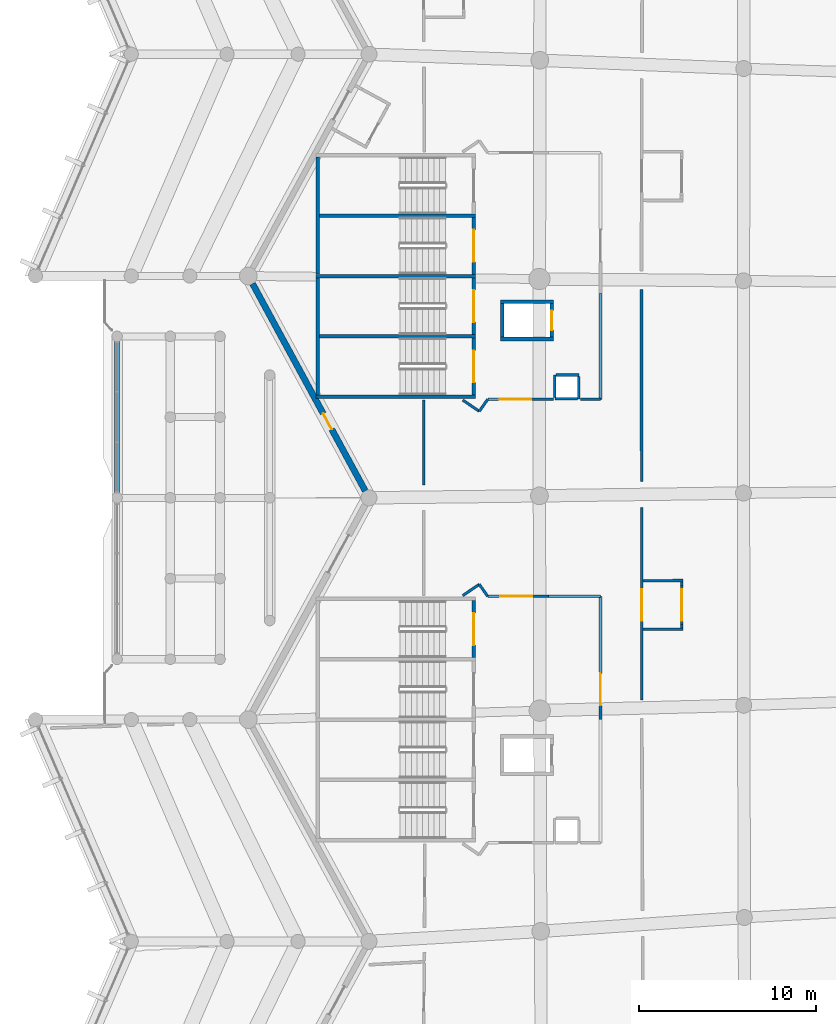
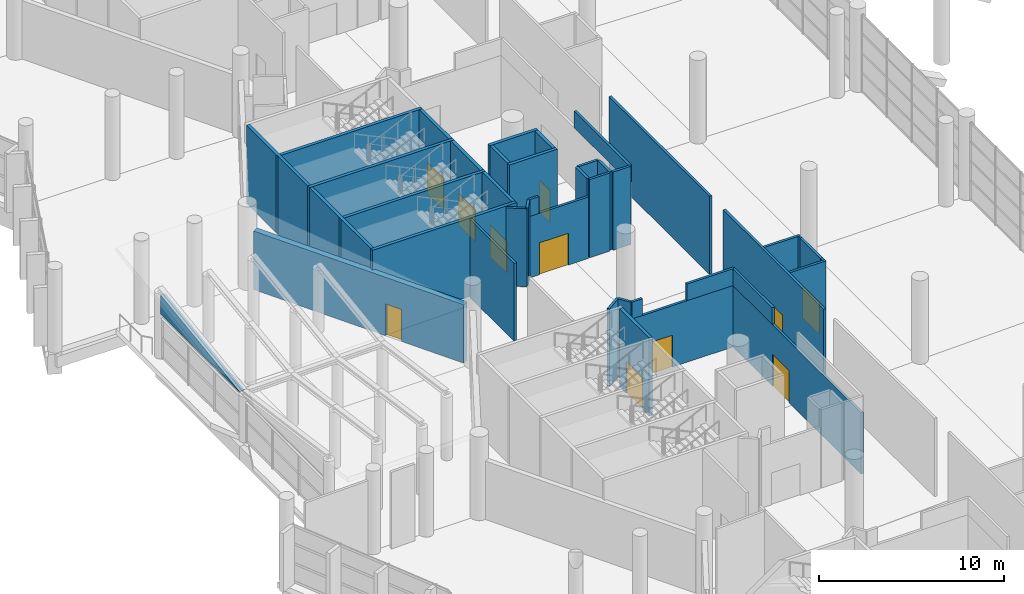
# One storey, part 168 of 271: 41 walls, 11 doors, 11 openings.
"""IFC4 building model written with IfcOpenShell, lengths in metres."""

from ifc_helpers import new_model, si_unit, direction, frame, frame_2d, origin, place, context, subcontext, project, spatial, polyline, rectangle, outline, extrude, material, layer, layer_set, type_object, element, fill, save


model = new_model("IFC4")

# Units and contexts
model_context = context("Model", 3, precision=1e-05, world=origin(), true_north=direction((0.0, 1.0)))
body_context = subcontext(model_context, "Body", "Model", "MODEL_VIEW")
ifc_project = project(units=[si_unit("LENGTHUNIT", "METRE"), si_unit("AREAUNIT", "SQUARE_METRE"), si_unit("VOLUMEUNIT", "CUBIC_METRE"), si_unit("PLANEANGLEUNIT", "RADIAN"), si_unit("MASSUNIT", "GRAM", prefix="KILO")], contexts=[model_context])

# Site, building, storey
site_placement = place(None, origin())
site = spatial("IfcSite", under=ifc_project, at=site_placement, CompositionType="ELEMENT")
building_placement = place(site_placement, origin())
building = spatial("IfcBuilding", under=site, at=building_placement, Name="Meseta Stadium", CompositionType="ELEMENT")
storey_placement = place(building_placement, frame((0.0, 0.0, 6.5)))
storey = spatial("IfcBuildingStorey", under=building, at=storey_placement, Name="L01", CompositionType="ELEMENT", Elevation=6.5)

# Walls
ifc_material_1 = material(Name="Concrete C40/50", Category="concrete")
ifc_layer_1 = layer(ifc_material_1, 0.199951171875)
ifc_layer_set_1 = layer_set([ifc_layer_1], Name="Core divider wall 200")
wall_type_1 = type_object("IfcWallType", Name="Core divider wall 200", PredefinedType="SHEAR", material=ifc_layer_set_1)
for number, where, z_axis, x_axis, name in (
    (1, (-97.60009765625, 9.64990234375, 0.0), (0.0, 0.0, 1.0), (1.0, 0.0, 0.0), "Core 17 L01 stair A divider wall"),
    (2, (-97.60009765625, 2.85009765625, 0.0), (0.0, 0.0, 1.0), (1.0, 0.0, 0.0), "Core 17 L01 stair B divider wall"),
):
    element("IfcWall", number, at=place(storey_placement, frame(where, z_axis=z_axis, x_axis=x_axis)), inside=storey, type_object=wall_type_1, Name=name, PredefinedType="SHEAR", context=body_context, shape_type="SweptSolid", body=[
        extrude(rectangle(XDim=9.0, YDim=0.199951171875, at=frame_2d((4.5, 0.0))), origin(), (0.0, 0.0, 1.0), 5.14990234375),
    ])
ifc_material_2 = material(Name="Concrete C40/50", Category="concrete")
ifc_layer_2 = layer(ifc_material_2, 0.199951171875)
ifc_layer_set_2 = layer_set([ifc_layer_2], Name="Core shaft wall 200")
wall_type_2 = type_object("IfcWallType", Name="Core shaft wall 200", PredefinedType="SHEAR", material=ifc_layer_set_2)
for number, where, z_axis, x_axis, name in (
    (3, (-97.60009765625, 6.25, 0.0), (0.0, 0.0, 1.0), (1.0, 0.0, 0.0), "Core 17 L01 stair wall shared"),
    (4, (-97.60009765625, -0.550048828125, 0.0), (0.0, 0.0, 1.0), (1.0, 0.0, 0.0), "Core 17 L01 stair wall B-side"),
):
    element("IfcWall", number, at=place(storey_placement, frame(where, z_axis=z_axis, x_axis=x_axis)), inside=storey, type_object=wall_type_2, Name=name, PredefinedType="SHEAR", context=body_context, shape_type="SweptSolid", body=[
        extrude(rectangle(XDim=9.0, YDim=0.199951171875, at=frame_2d((4.5, 0.0))), origin(), (0.0, 0.0, 1.0), 5.14990234375),
    ])
for number, where, z_axis, x_axis, name in (
    (5, (-97.5, 12.949951171875, 0.0), (0.0, 0.0, 1.0), (0.0, -1.0, 0.0), "Core 17 L01 stair A outer end wall"),
    (6, (-97.5, 6.14990234375, 0.0), (0.0, 0.0, 1.0), (0.0, -1.0, 0.0), "Core 17 L01 stair B outer end wall"),
):
    element("IfcWall", number, at=place(storey_placement, frame(where, z_axis=z_axis, x_axis=x_axis)), inside=storey, type_object=wall_type_2, Name=name, PredefinedType="SHEAR", context=body_context, shape_type="SweptSolid", body=[
        extrude(rectangle(XDim=6.599853515625, YDim=0.199951171875, at=frame_2d((3.2998046875, 0.0))), origin(), (0.0, 0.0, 1.0), 5.14990234375),
    ])

# Wall, opening, door
wall_1_placement = place(storey_placement, frame((-88.699951171875, 9.550048828125, 0.0), z_axis=(0.0, 0.0, 1.0), x_axis=(0.0, -1.0, 0.0)))
wall_1 = element("IfcWall", 7, at=wall_1_placement, inside=storey, type_object=wall_type_2, Name="Core 17 L01 stair A2 inner end wall", PredefinedType="SHEAR", context=body_context, shape_type="SweptSolid", body=[
    extrude(rectangle(XDim=3.199951171875, YDim=0.199951171875, at=frame_2d((1.60009765625, 0.0))), origin(), (0.0, 0.0, 1.0), 5.14990234375),
])
opening_1_placement = place(wall_1_placement, frame((0.699951171875, 0.0, 0.0)))
opening_1 = element("IfcOpeningElement", 8, at=opening_1_placement, cuts=wall_1, Name="Opening D234", PredefinedType="OPENING", context=body_context, shape_type="SweptSolid", body=[
    extrude(rectangle(XDim=1.800048828125, YDim=2.10009765625, at=frame_2d((0.89990234375, 1.050048828125))), frame((0.0, 0.10986328125, 0.0), z_axis=(0.0, -1.0, 0.0), x_axis=(1.0, 0.0, 0.0)), (0.0, 0.0, 1.0), 0.219970703125),
])
ifc_material_3 = material(Name="Steel", Category="steel")
door_type_1 = type_object("IfcDoorType", Name="Stair door 1800x2100", OperationType="DOUBLE_DOOR_SINGLE_SWING", PredefinedType="DOOR", material=ifc_material_3)
door_1_placement = place(opening_1_placement, origin())
door_1 = element("IfcDoor", 9, at=door_1_placement, inside=storey, type_object=door_type_1, Name="Stair A2 door 17 L01", OperationType="DOUBLE_DOOR_SINGLE_SWING", OverallHeight=2.10009765625, OverallWidth=1.800048828125, PredefinedType="DOOR", context=body_context, shape_type="SweptSolid", body=[
    extrude(rectangle(XDim=1.800048828125, YDim=2.10009765625, at=frame_2d((0.89990234375, 1.050048828125))), frame((0.0, 0.02490234375, 0.0), z_axis=(0.0, -1.0, 0.0), x_axis=(1.0, 0.0, 0.0)), (0.0, 0.0, 1.0), 0.050048828125),
])
fill(opening_1, door_1)

wall_2_placement = place(storey_placement, frame((-88.699951171875, 6.14990234375, 0.0), z_axis=(0.0, 0.0, 1.0), x_axis=(0.0, -1.0, 0.0)))
wall_2 = element("IfcWall", 10, at=wall_2_placement, inside=storey, type_object=wall_type_2, Name="Core 17 L01 stair B1 inner end wall", PredefinedType="SHEAR", context=body_context, shape_type="SweptSolid", body=[
    extrude(rectangle(XDim=3.199951171875, YDim=0.199951171875, at=frame_2d((1.60009765625, 0.0))), origin(), (0.0, 0.0, 1.0), 5.14990234375),
])
opening_2_placement = place(wall_2_placement, frame((0.699951171875, 0.0, 0.0)))
opening_2 = element("IfcOpeningElement", 11, at=opening_2_placement, cuts=wall_2, Name="Opening D235", PredefinedType="OPENING", context=body_context, shape_type="SweptSolid", body=[
    extrude(rectangle(XDim=1.800048828125, YDim=2.10009765625, at=frame_2d((0.89990234375, 1.050048828125))), frame((0.0, 0.10986328125, 0.0), z_axis=(0.0, -1.0, 0.0), x_axis=(1.0, 0.0, 0.0)), (0.0, 0.0, 1.0), 0.219970703125),
])
door_2_placement = place(opening_2_placement, origin())
door_2 = element("IfcDoor", 12, at=door_2_placement, inside=storey, type_object=door_type_1, Name="Stair B1 door 17 L01", OperationType="DOUBLE_DOOR_SINGLE_SWING", OverallHeight=2.10009765625, OverallWidth=1.800048828125, PredefinedType="DOOR", context=body_context, shape_type="SweptSolid", body=[
    extrude(rectangle(XDim=1.800048828125, YDim=2.10009765625, at=frame_2d((0.89990234375, 1.050048828125))), frame((0.0, 0.02490234375, 0.0), z_axis=(0.0, -1.0, 0.0), x_axis=(1.0, 0.0, 0.0)), (0.0, 0.0, 1.0), 0.050048828125),
])
fill(opening_2, door_2)

wall_3_placement = place(storey_placement, frame((-88.699951171875, 2.75, 0.0), z_axis=(0.0, 0.0, 1.0), x_axis=(0.0, -1.0, 0.0)))
wall_3 = element("IfcWall", 13, at=wall_3_placement, inside=storey, type_object=wall_type_2, Name="Core 17 L01 stair B2 inner end wall", PredefinedType="SHEAR", context=body_context, shape_type="SweptSolid", body=[
    extrude(rectangle(XDim=3.199951171875, YDim=0.199951171875, at=frame_2d((1.60009765625, 0.0))), origin(), (0.0, 0.0, 1.0), 5.14990234375),
])
opening_3_placement = place(wall_3_placement, frame((0.699951171875, 0.0, 0.0)))
opening_3 = element("IfcOpeningElement", 14, at=opening_3_placement, cuts=wall_3, Name="Opening D236", PredefinedType="OPENING", context=body_context, shape_type="SweptSolid", body=[
    extrude(rectangle(XDim=1.800048828125, YDim=2.10009765625, at=frame_2d((0.89990234375, 1.050048828125))), frame((0.0, 0.10986328125, 0.0), z_axis=(0.0, -1.0, 0.0), x_axis=(1.0, 0.0, 0.0)), (0.0, 0.0, 1.0), 0.219970703125),
])
door_3_placement = place(opening_3_placement, origin())
door_3 = element("IfcDoor", 15, at=door_3_placement, inside=storey, type_object=door_type_1, Name="Stair B2 door 17 L01", OperationType="DOUBLE_DOOR_SINGLE_SWING", OverallHeight=2.10009765625, OverallWidth=1.800048828125, PredefinedType="DOOR", context=body_context, shape_type="SweptSolid", body=[
    extrude(rectangle(XDim=1.800048828125, YDim=2.10009765625, at=frame_2d((0.89990234375, 1.050048828125))), frame((0.0, 0.02490234375, 0.0), z_axis=(0.0, -1.0, 0.0), x_axis=(1.0, 0.0, 0.0)), (0.0, 0.0, 1.0), 0.050048828125),
])
fill(opening_3, door_3)

# Walls
for number, where, z_axis, x_axis, name in (
    (16, (-87.199951171875, 4.800048828125, 0.0), (0.0, 0.0, 1.0), (1.0, 0.0, 0.0), "Core 17 L01 lift shaft wall left"),
    (17, (-87.199951171875, 2.699951171875, 0.0), (0.0, 0.0, 1.0), (1.0, 0.0, 0.0), "Core 17 L01 lift shaft wall right"),
):
    element("IfcWall", number, at=place(storey_placement, frame(where, z_axis=z_axis, x_axis=x_axis)), inside=storey, type_object=wall_type_2, Name=name, PredefinedType="SHEAR", context=body_context, shape_type="SweptSolid", body=[
        extrude(rectangle(XDim=3.0, YDim=0.199951171875, at=frame_2d((1.5, 0.0))), origin(), (0.0, 0.0, 1.0), 5.14990234375),
    ])
wall_4_placement = place(storey_placement, frame((-87.10009765625, 4.699951171875, 0.0), z_axis=(0.0, 0.0, 1.0), x_axis=(0.0, -1.0, 0.0)))
element("IfcWall", 18, at=wall_4_placement, inside=storey, type_object=wall_type_2, Name="Core 17 L01 lift shaft back wall", PredefinedType="SHEAR", context=body_context, shape_type="SweptSolid", body=[
    extrude(rectangle(XDim=1.89990234375, YDim=0.199951171875, at=frame_2d((0.949951171875, 0.0))), origin(), (0.0, 0.0, 1.0), 5.14990234375),
])

# Wall, opening, door
wall_5_placement = place(storey_placement, frame((-84.300048828125, 4.699951171875, 0.0), z_axis=(0.0, 0.0, 1.0), x_axis=(0.0, -1.0, 0.0)))
wall_5 = element("IfcWall", 19, at=wall_5_placement, inside=storey, type_object=wall_type_2, Name="Core 17 L01 lift shaft front wall", PredefinedType="SHEAR", context=body_context, shape_type="SweptSolid", body=[
    extrude(rectangle(XDim=1.89990234375, YDim=0.199951171875, at=frame_2d((0.949951171875, 0.0))), origin(), (0.0, 0.0, 1.0), 5.14990234375),
])
opening_4_placement = place(wall_5_placement, frame((0.39990234375, 0.0, 0.0)))
opening_4 = element("IfcOpeningElement", 20, at=opening_4_placement, cuts=wall_5, Name="Opening LD93", PredefinedType="OPENING", context=body_context, shape_type="SweptSolid", body=[
    extrude(rectangle(XDim=1.10009765625, YDim=2.10009765625, at=frame_2d((0.550048828125, 1.050048828125))), frame((0.0, 0.10986328125, 0.0), z_axis=(0.0, -1.0, 0.0), x_axis=(1.0, 0.0, 0.0)), (0.0, 0.0, 1.0), 0.219970703125),
])
ifc_material_4 = material(Name="Steel", Category="steel")
door_type_2 = type_object("IfcDoorType", Name="Lift landing door 1100x2100", OperationType="SLIDING_TO_LEFT", PredefinedType="DOOR", material=ifc_material_4)
door_4_placement = place(opening_4_placement, origin())
door_4 = element("IfcDoor", 21, at=door_4_placement, inside=storey, type_object=door_type_2, Name="Lift landing door LD93", OperationType="SLIDING_TO_LEFT", OverallHeight=2.10009765625, OverallWidth=1.10009765625, PredefinedType="DOOR", context=body_context, shape_type="SweptSolid", body=[
    extrude(rectangle(XDim=1.10009765625, YDim=2.10009765625, at=frame_2d((0.550048828125, 1.050048828125))), frame((0.0, 0.02490234375, 0.0), z_axis=(0.0, -1.0, 0.0), x_axis=(1.0, 0.0, 0.0)), (0.0, 0.0, 1.0), 0.050048828125),
])
fill(opening_4, door_4)

wall_6_placement = place(storey_placement, frame((-88.699951171875, -12.050048828125, 0.0), z_axis=(0.0, 0.0, 1.0), x_axis=(0.0, -1.0, 0.0)))
wall_6 = element("IfcWall", 22, at=wall_6_placement, inside=storey, type_object=wall_type_2, Name="Core 18 L01 stair A1 inner end wall", PredefinedType="SHEAR", context=body_context, shape_type="SweptSolid", body=[
    extrude(rectangle(XDim=3.199951171875, YDim=0.199951171875, at=frame_2d((1.60009765625, 0.0))), origin(), (0.0, 0.0, 1.0), 5.14990234375),
])
opening_5_placement = place(wall_6_placement, frame((0.699951171875, 0.0, 0.0)))
opening_5 = element("IfcOpeningElement", 23, at=opening_5_placement, cuts=wall_6, Name="Opening D249", PredefinedType="OPENING", context=body_context, shape_type="SweptSolid", body=[
    extrude(rectangle(XDim=1.800048828125, YDim=2.10009765625, at=frame_2d((0.89990234375, 1.050048828125))), frame((0.0, 0.10986328125, 0.0), z_axis=(0.0, -1.0, 0.0), x_axis=(1.0, 0.0, 0.0)), (0.0, 0.0, 1.0), 0.219970703125),
])
door_5_placement = place(opening_5_placement, origin())
door_5 = element("IfcDoor", 24, at=door_5_placement, inside=storey, type_object=door_type_1, Name="Stair A1 door 18 L01", OperationType="DOUBLE_DOOR_SINGLE_SWING", OverallHeight=2.10009765625, OverallWidth=1.800048828125, PredefinedType="DOOR", context=body_context, shape_type="SweptSolid", body=[
    extrude(rectangle(XDim=1.800048828125, YDim=2.10009765625, at=frame_2d((0.89990234375, 1.050048828125))), frame((0.0, 0.02490234375, 0.0), z_axis=(0.0, -1.0, 0.0), x_axis=(1.0, 0.0, 0.0)), (0.0, 0.0, 1.0), 0.050048828125),
])
fill(opening_5, door_5)

# Wall
ifc_material_5 = material(Name="Precast concrete C40/50", Category="concrete")
ifc_layer_3 = layer(ifc_material_5, 0.300048828125)
ifc_layer_set_3 = layer_set([ifc_layer_3], Name="Gate facade panel wall 300")
wall_type_3 = type_object("IfcWallType", Name="Gate facade panel wall 300", PredefinedType="SOLIDWALL", material=ifc_layer_set_3)
wall_7_placement = place(storey_placement, frame((-108.800048828125, 2.550048828125, 2.99609375), z_axis=(0.0, 0.0, 1.0), x_axis=(0.0, -1.0, 0.0)))
element("IfcWall", 25, at=wall_7_placement, inside=storey, type_object=wall_type_3, Name="Gate 5 gable panel wall", PredefinedType="SOLIDWALL", context=body_context, shape_type="SweptSolid", body=[
    extrude(outline(polyline([(0.0, 0.0), (8.5, 0.0), (8.5, 0.052001953125), (0.0, 1.241943359375), (0.0, 0.0)])), frame((0.0, 0.14990234375, 0.0), z_axis=(0.0, -1.0, 0.0), x_axis=(1.0, 0.0, 0.0)), (0.0, 0.0, 1.0), 0.300048828125),
])

# Wall, opening, door
ifc_material_6 = material(Name="Masonry blockwork", Category="masonry")
ifc_layer_4 = layer(ifc_material_6, 0.14990234375)
ifc_layer_set_4 = layer_set([ifc_layer_4], Name="Partition 150")
wall_type_4 = type_object("IfcWallType", Name="Partition 150", PredefinedType="PARTITIONING", material=ifc_layer_set_4)
wall_8_placement = place(storey_placement, frame((-79.229736328125, -17.64013671875, 0.0), z_axis=(0.0, 0.0, 1.0), x_axis=(-0.0007662833, 0.999999706405, 0.0)))
wall_8 = element("IfcWall", 26, at=wall_8_placement, inside=storey, type_object=wall_type_4, Name="Partition L01 L01-cell16-0-0", PredefinedType="PARTITIONING", context=body_context, shape_type="SweptSolid", body=[
    extrude(rectangle(XDim=10.83251953125, YDim=0.14990234375, at=frame_2d((5.416259765625, 0.0))), origin(), (0.0, 0.0, 1.0), 5.14990234375),
])
opening_6_placement = place(wall_8_placement, frame((4.449951171875, 0.0, 0.0)))
opening_6 = element("IfcOpeningElement", 27, at=opening_6_placement, cuts=wall_8, Name="Opening D662", PredefinedType="OPENING", context=body_context, shape_type="SweptSolid", body=[
    extrude(rectangle(XDim=1.800048828125, YDim=2.10009765625, at=frame_2d((0.89990234375, 1.050048828125))), frame((0.0, 0.0849609375, 0.0), z_axis=(0.0, -1.0, 0.0), x_axis=(1.0, 0.0, 0.0)), (0.0, 0.0, 1.0), 0.169921875),
])
ifc_material_7 = material(Name="Steel", Category="steel")
door_type_3 = type_object("IfcDoorType", Name="Fire double door 1800x2100 EI2 60", OperationType="DOUBLE_DOOR_SINGLE_SWING", PredefinedType="DOOR", material=ifc_material_7)
door_6_placement = place(opening_6_placement, origin())
door_6 = element("IfcDoor", 28, at=door_6_placement, inside=storey, type_object=door_type_3, Name="Door D662", OperationType="DOUBLE_DOOR_SINGLE_SWING", OverallHeight=2.10009765625, OverallWidth=1.800048828125, PredefinedType="DOOR", context=body_context, shape_type="SweptSolid", body=[
    extrude(rectangle(XDim=1.800048828125, YDim=2.10009765625, at=frame_2d((0.89990234375, 1.050048828125))), frame((0.0, 0.02490234375, 0.0), z_axis=(0.0, -1.0, 0.0), x_axis=(1.0, 0.0, 0.0)), (0.0, 0.0, 1.0), 0.050048828125),
])
fill(opening_6, door_6)

# Walls
wall_9_placement = place(storey_placement, frame((-79.239013671875, -5.33056640625, 0.0), z_axis=(0.0, 0.0, 1.0), x_axis=(-0.0007662833, 0.999999706405, 0.0)))
element("IfcWall", 29, at=wall_9_placement, inside=storey, type_object=wall_type_4, Name="Partition L01 L01-cell16-0-0", PredefinedType="PARTITIONING", context=body_context, shape_type="SweptSolid", body=[
    extrude(rectangle(XDim=10.83251953125, YDim=0.14990234375, at=frame_2d((5.416259765625, 0.0))), origin(), (0.0, 0.0, 1.0), 5.14990234375),
])
wall_10_placement = place(storey_placement, frame((-91.51171875, -0.75, 0.0), z_axis=(0.0, 0.0, 1.0), x_axis=(-0.001174067593, -0.999999310782, 0.0)))
element("IfcWall", 30, at=wall_10_placement, inside=storey, type_object=wall_type_4, Name="Partition L01 L01-cell16-2-0", PredefinedType="PARTITIONING", context=body_context, shape_type="SweptSolid", body=[
    extrude(rectangle(XDim=4.78271484375, YDim=0.14990234375, at=frame_2d((2.391357421875, 0.0))), origin(), (0.0, 0.0, 1.0), 5.14990234375),
])
wall_11_placement = place(storey_placement, frame((-84.125, 0.675048828125, 0.0), z_axis=(0.0, 0.0, 1.0), x_axis=(0.0, -1.0, 0.0)))
element("IfcWall", 31, at=wall_11_placement, inside=storey, type_object=wall_type_4, Name="Pressurisation shaft wall L01 core 17", PredefinedType="PARTITIONING", context=body_context, shape_type="SweptSolid", body=[
    extrude(rectangle(XDim=1.275146484375, YDim=0.14990234375, at=frame_2d((0.6376953125, 0.0))), origin(), (0.0, 0.0, 1.0), 5.14990234375),
])
wall_12_placement = place(storey_placement, frame((-84.125, -0.675048828125, 0.0), z_axis=(0.0, 0.0, 1.0), x_axis=(1.0, 0.0, 0.0)))
element("IfcWall", 32, at=wall_12_placement, inside=storey, type_object=wall_type_4, Name="Pressurisation shaft wall L01 core 17", PredefinedType="PARTITIONING", context=body_context, shape_type="SweptSolid", body=[
    extrude(rectangle(XDim=1.27490234375, YDim=0.14990234375, at=frame_2d((0.637451171875, 0.0))), origin(), (0.0, 0.0, 1.0), 5.14990234375),
])
for number, where, z_axis, x_axis, name in (
    (33, (-82.77490234375, -0.675048828125, 0.0), (0.0, 0.0, 1.0), (0.0, 1.0, 0.0), "Pressurisation shaft wall L01 core 17"),
    (34, (-82.77490234375, 0.675048828125, 0.0), (0.0, 0.0, 1.0), (-1.0, 0.0, 0.0), "Pressurisation shaft wall L01 core 17"),
):
    element("IfcWall", number, at=place(storey_placement, frame(where, z_axis=z_axis, x_axis=x_axis)), inside=storey, type_object=wall_type_4, Name=name, PredefinedType="PARTITIONING", context=body_context, shape_type="SweptSolid", body=[
        extrude(rectangle(XDim=1.275146484375, YDim=0.14990234375, at=frame_2d((0.6376953125, 0.0))), origin(), (0.0, 0.0, 1.0), 5.14990234375),
    ])
wall_13_placement = place(storey_placement, frame((-89.31982421875, -0.739501953125, 0.0), z_axis=(0.0, 0.0, 1.0), x_axis=(0.826749248939, -0.562570599462, 0.0)))
element("IfcWall", 35, at=wall_13_placement, inside=storey, type_object=wall_type_4, Name="Stair vestibule wall L01 core 17", PredefinedType="PARTITIONING", context=body_context, shape_type="SweptSolid", body=[
    extrude(rectangle(XDim=1.12744140625, YDim=0.14990234375, at=frame_2d((0.563720703125, 0.0))), origin(), (0.0, 0.0, 1.0), 5.14990234375),
])
wall_14_placement = place(storey_placement, frame((-88.3876953125, -1.373779296875, 0.0), z_axis=(0.0, 0.0, 1.0), x_axis=(0.5761634622, 0.817334487726, 0.0)))
element("IfcWall", 36, at=wall_14_placement, inside=storey, type_object=wall_type_4, Name="Stair vestibule wall L01 core 17", PredefinedType="PARTITIONING", context=body_context, shape_type="SweptSolid", body=[
    extrude(rectangle(XDim=0.830078125, YDim=0.14990234375, at=frame_2d((0.4150390625, 0.0))), origin(), (0.0, 0.0, 1.0), 5.14990234375),
])

# Wall, opening, door
wall_15_placement = place(storey_placement, frame((-87.909423828125, -0.6953125, 0.0), z_axis=(0.0, 0.0, 1.0), x_axis=(0.999999997827, 6.5919578e-05, 0.0)))
wall_15 = element("IfcWall", 37, at=wall_15_placement, inside=storey, type_object=wall_type_4, Name="Stair vestibule wall L01 core 17", PredefinedType="PARTITIONING", context=body_context, shape_type="SweptSolid", body=[
    extrude(rectangle(XDim=3.70361328125, YDim=0.14990234375, at=frame_2d((1.851806640625, 0.0))), origin(), (0.0, 0.0, 1.0), 4.050048828125),
])
opening_7_placement = place(wall_15_placement, frame((0.64990234375, 0.0, 0.0)))
opening_7 = element("IfcOpeningElement", 38, at=opening_7_placement, cuts=wall_15, Name="Opening D786", PredefinedType="OPENING", context=body_context, shape_type="SweptSolid", body=[
    extrude(rectangle(XDim=1.800048828125, YDim=2.10009765625, at=frame_2d((0.89990234375, 1.050048828125))), frame((0.0, 0.0849609375, 0.0), z_axis=(0.0, -1.0, 0.0), x_axis=(1.0, 0.0, 0.0)), (0.0, 0.0, 1.0), 0.169921875),
])
door_7_placement = place(opening_7_placement, origin())
door_7 = element("IfcDoor", 39, at=door_7_placement, inside=storey, type_object=door_type_3, Name="Stair vestibule door L01 core 17", OperationType="DOUBLE_DOOR_SINGLE_SWING", OverallHeight=2.10009765625, OverallWidth=1.800048828125, PredefinedType="DOOR", context=body_context, shape_type="SweptSolid", body=[
    extrude(rectangle(XDim=1.800048828125, YDim=2.10009765625, at=frame_2d((0.89990234375, 1.050048828125))), frame((0.0, 0.02490234375, 0.0), z_axis=(0.0, -1.0, 0.0), x_axis=(1.0, 0.0, 0.0)), (0.0, 0.0, 1.0), 0.050048828125),
])
fill(opening_7, door_7)

# Walls
wall_16_placement = place(storey_placement, frame((-87.909423828125, -0.6953125, 4.050048828125), z_axis=(0.0, 0.0, 1.0), x_axis=(1.0, 0.0, 0.0)))
element("IfcWall", 40, at=wall_16_placement, inside=storey, type_object=wall_type_4, Name="Stair vestibule wall L01 core 17", PredefinedType="PARTITIONING", context=body_context, shape_type="SweptSolid", body=[
    extrude(rectangle(XDim=0.599853515625, YDim=0.14990234375, at=frame_2d((0.2998046875, 0.0))), origin(), (0.0, 0.0, 1.0), 1.099853515625),
])
wall_17_placement = place(storey_placement, frame((-82.68994140625, -0.695068359375, 0.0), z_axis=(0.0, 0.0, 1.0), x_axis=(1.0, 0.0, 0.0)))
element("IfcWall", 41, at=wall_17_placement, inside=storey, type_object=wall_type_4, Name="Stair vestibule wall L01 core 17", PredefinedType="PARTITIONING", context=body_context, shape_type="SweptSolid", body=[
    extrude(rectangle(XDim=1.135009765625, YDim=0.14990234375, at=frame_2d((0.5673828125, 0.0))), origin(), (0.0, 0.0, 1.0), 5.14990234375),
])
wall_18_placement = place(storey_placement, frame((-81.554931640625, -0.695068359375, 4.050048828125), z_axis=(0.0, 0.0, 1.0), x_axis=(0.0, 1.0, 0.0)))
element("IfcWall", 42, at=wall_18_placement, inside=storey, type_object=wall_type_4, Name="Stair vestibule wall L01 core 17", PredefinedType="PARTITIONING", context=body_context, shape_type="SweptSolid", body=[
    extrude(rectangle(XDim=5.952880859375, YDim=0.14990234375, at=frame_2d((2.9765625, 0.0))), origin(), (0.0, 0.0, 1.0), 1.099853515625),
])

# Wall, opening, door
wall_19_placement = place(storey_placement, frame((-81.554931640625, -25.695068359375, 0.0), z_axis=(0.0, 0.0, 1.0), x_axis=(0.0, 1.0, 0.0)))
wall_19 = element("IfcWall", 43, at=wall_19_placement, inside=storey, type_object=wall_type_4, Name="Stair vestibule wall L01 core 18", PredefinedType="PARTITIONING", context=body_context, shape_type="SweptSolid", body=[
    extrude(rectangle(XDim=13.89013671875, YDim=0.14990234375, at=frame_2d((6.945068359375, 0.0))), origin(), (0.0, 0.0, 1.0), 4.050048828125),
])
opening_8_placement = place(wall_19_placement, frame((7.75, 0.0, 0.0)))
opening_8 = element("IfcOpeningElement", 44, at=opening_8_placement, cuts=wall_19, Name="Opening D788", PredefinedType="OPENING", context=body_context, shape_type="SweptSolid", body=[
    extrude(rectangle(XDim=1.800048828125, YDim=2.10009765625, at=frame_2d((0.89990234375, 1.050048828125))), frame((0.0, 0.0849609375, 0.0), z_axis=(0.0, -1.0, 0.0), x_axis=(1.0, 0.0, 0.0)), (0.0, 0.0, 1.0), 0.169921875),
])
door_8_placement = place(opening_8_placement, origin())
door_8 = element("IfcDoor", 45, at=door_8_placement, inside=storey, type_object=door_type_3, Name="Stair vestibule door L01 core 18", OperationType="DOUBLE_DOOR_SINGLE_SWING", OverallHeight=2.10009765625, OverallWidth=1.800048828125, PredefinedType="DOOR", context=body_context, shape_type="SweptSolid", body=[
    extrude(rectangle(XDim=1.800048828125, YDim=2.10009765625, at=frame_2d((0.89990234375, 1.050048828125))), frame((0.0, 0.02490234375, 0.0), z_axis=(0.0, -1.0, 0.0), x_axis=(1.0, 0.0, 0.0)), (0.0, 0.0, 1.0), 0.050048828125),
])
fill(opening_8, door_8)

# Wall
wall_20_placement = place(storey_placement, frame((-81.554931640625, -16.094970703125, 4.050048828125), z_axis=(0.0, 0.0, 1.0), x_axis=(0.0, 1.0, 0.0)))
element("IfcWall", 46, at=wall_20_placement, inside=storey, type_object=wall_type_4, Name="Stair vestibule wall L01 core 18", PredefinedType="PARTITIONING", context=body_context, shape_type="SweptSolid", body=[
    extrude(rectangle(XDim=4.2900390625, YDim=0.14990234375, at=frame_2d((2.14501953125, 0.0))), origin(), (0.0, 0.0, 1.0), 1.099853515625),
])

# Wall, opening, door
wall_21_placement = place(storey_placement, frame((-81.554931640625, -11.804931640625, 0.0), z_axis=(0.0, 0.0, 1.0), x_axis=(-1.0, 0.0, 0.0)))
wall_21 = element("IfcWall", 47, at=wall_21_placement, inside=storey, type_object=wall_type_4, Name="Stair vestibule wall L01 core 18", PredefinedType="PARTITIONING", context=body_context, shape_type="SweptSolid", body=[
    extrude(rectangle(XDim=6.354248046875, YDim=0.14990234375, at=frame_2d((3.17724609375, 0.0))), origin(), (0.0, 0.0, 1.0), 4.050048828125),
])
opening_9_placement = place(wall_21_placement, frame((3.85009765625, 0.0, 0.0)))
opening_9 = element("IfcOpeningElement", 48, at=opening_9_placement, cuts=wall_21, Name="Opening D790", PredefinedType="OPENING", context=body_context, shape_type="SweptSolid", body=[
    extrude(rectangle(XDim=1.800048828125, YDim=2.10009765625, at=frame_2d((0.89990234375, 1.050048828125))), frame((0.0, 0.0849609375, 0.0), z_axis=(0.0, -1.0, 0.0), x_axis=(1.0, 0.0, 0.0)), (0.0, 0.0, 1.0), 0.169921875),
])
door_9_placement = place(opening_9_placement, origin())
door_9 = element("IfcDoor", 49, at=door_9_placement, inside=storey, type_object=door_type_3, Name="Stair vestibule door L01 core 18", OperationType="DOUBLE_DOOR_SINGLE_SWING", OverallHeight=2.10009765625, OverallWidth=1.800048828125, PredefinedType="DOOR", context=body_context, shape_type="SweptSolid", body=[
    extrude(rectangle(XDim=1.800048828125, YDim=2.10009765625, at=frame_2d((0.89990234375, 1.050048828125))), frame((0.0, 0.02490234375, 0.0), z_axis=(0.0, -1.0, 0.0), x_axis=(1.0, 0.0, 0.0)), (0.0, 0.0, 1.0), 0.050048828125),
])
fill(opening_9, door_9)

# Walls
wall_22_placement = place(storey_placement, frame((-81.554931640625, -11.804931640625, 4.050048828125), z_axis=(0.0, 0.0, 1.0), x_axis=(-1.0, 0.0, 0.0)))
element("IfcWall", 50, at=wall_22_placement, inside=storey, type_object=wall_type_4, Name="Stair vestibule wall L01 core 18", PredefinedType="PARTITIONING", context=body_context, shape_type="SweptSolid", body=[
    extrude(rectangle(XDim=2.932861328125, YDim=0.14990234375, at=frame_2d((1.46630859375, 0.0))), origin(), (0.0, 0.0, 1.0), 1.099853515625),
])
wall_23_placement = place(storey_placement, frame((-87.2548828125, -11.804931640625, 4.050048828125), z_axis=(0.0, 0.0, 1.0), x_axis=(-1.0, 0.0, 0.0)))
element("IfcWall", 51, at=wall_23_placement, inside=storey, type_object=wall_type_4, Name="Stair vestibule wall L01 core 18", PredefinedType="PARTITIONING", context=body_context, shape_type="SweptSolid", body=[
    extrude(rectangle(XDim=0.654296875, YDim=0.14990234375, at=frame_2d((0.3271484375, 0.0))), origin(), (0.0, 0.0, 1.0), 1.099853515625),
])
wall_24_placement = place(storey_placement, frame((-87.9091796875, -11.804931640625, 0.0), z_axis=(0.0, 0.0, 1.0), x_axis=(-0.575573582652, 0.81774999294, 0.0)))
element("IfcWall", 52, at=wall_24_placement, inside=storey, type_object=wall_type_4, Name="Stair vestibule wall L01 core 18", PredefinedType="PARTITIONING", context=body_context, shape_type="SweptSolid", body=[
    extrude(rectangle(XDim=0.82958984375, YDim=0.14990234375, at=frame_2d((0.414794921875, 0.0))), origin(), (0.0, 0.0, 1.0), 5.14990234375),
])
wall_25_placement = place(storey_placement, frame((-88.38671875, -11.12646484375, 0.0), z_axis=(0.0, 0.0, 1.0), x_axis=(-0.827055308354, -0.562120553728, 0.0)))
element("IfcWall", 53, at=wall_25_placement, inside=storey, type_object=wall_type_4, Name="Stair vestibule wall L01 core 18", PredefinedType="PARTITIONING", context=body_context, shape_type="SweptSolid", body=[
    extrude(rectangle(XDim=1.1279296875, YDim=0.14990234375, at=frame_2d((0.56396484375, 0.0))), origin(), (0.0, 0.0, 1.0), 5.14990234375),
])
for number, where, z_axis, x_axis, name in (
    (54, (-79.15771484375, -13.6650390625, 0.0), (0.0, 0.0, 1.0), (0.999999711543, 0.000759548392, 0.0), "Partition L01 L01-cell16-0-0 vestibule"),
    (55, (-79.159912109375, -10.9150390625, 0.0), (0.0, 0.0, 1.0), (0.999999711543, 0.000759548392, 0.0), "Partition L01 L01-cell16-0-0 vestibule"),
):
    element("IfcWall", number, at=place(storey_placement, frame(where, z_axis=z_axis, x_axis=x_axis)), inside=storey, type_object=wall_type_4, Name=name, PredefinedType="PARTITIONING", context=body_context, shape_type="SweptSolid", body=[
        extrude(rectangle(XDim=2.25, YDim=0.14990234375, at=frame_2d((1.125, 0.0))), origin(), (0.0, 0.0, 1.0), 5.14990234375),
    ])
wall_26_placement = place(storey_placement, frame((-76.98291015625, -13.58837890625, 0.0), z_axis=(0.0, 0.0, 1.0), x_axis=(0.0, 1.0, 0.0)))
element("IfcWall", 56, at=wall_26_placement, inside=storey, type_object=wall_type_4, Name="Partition L01 L01-cell16-0-0 vestibule", PredefinedType="PARTITIONING", context=body_context, shape_type="SweptSolid", body=[
    extrude(rectangle(XDim=0.199951171875, YDim=0.14990234375, at=frame_2d((0.10009765625, 0.0))), origin(), (0.0, 0.0, 1.0), 5.14990234375),
])

# Wall, opening, door
wall_27_placement = place(storey_placement, frame((-76.98291015625, -13.388427734375, 0.0), z_axis=(0.0, 0.0, 1.0), x_axis=(-0.000776828087, 0.999999698269, 0.0)))
wall_27 = element("IfcWall", 57, at=wall_27_placement, inside=storey, type_object=wall_type_4, Name="Partition L01 L01-cell16-0-0 vestibule", PredefinedType="PARTITIONING", context=body_context, shape_type="SweptSolid", body=[
    extrude(rectangle(XDim=2.199951171875, YDim=0.14990234375, at=frame_2d((1.10009765625, 0.0))), origin(), (0.0, 0.0, 1.0), 5.14990234375),
])
opening_10_placement = place(wall_27_placement, frame((0.199951171875, 0.0, 0.0)))
opening_10 = element("IfcOpeningElement", 58, at=opening_10_placement, cuts=wall_27, Name="Opening D907", PredefinedType="OPENING", context=body_context, shape_type="SweptSolid", body=[
    extrude(rectangle(XDim=1.800048828125, YDim=2.10009765625, at=frame_2d((0.89990234375, 1.050048828125))), frame((0.0, 0.0849609375, 0.0), z_axis=(0.0, -1.0, 0.0), x_axis=(1.0, 0.0, 0.0)), (0.0, 0.0, 1.0), 0.169921875),
])
door_10_placement = place(opening_10_placement, origin())
door_10 = element("IfcDoor", 59, at=door_10_placement, inside=storey, type_object=door_type_3, Name="Vestibule door L01 L01-cell16-0-0", OperationType="DOUBLE_DOOR_SINGLE_SWING", OverallHeight=2.10009765625, OverallWidth=1.800048828125, PredefinedType="DOOR", context=body_context, shape_type="SweptSolid", body=[
    extrude(rectangle(XDim=1.800048828125, YDim=2.10009765625, at=frame_2d((0.89990234375, 1.050048828125))), frame((0.0, 0.02490234375, 0.0), z_axis=(0.0, -1.0, 0.0), x_axis=(1.0, 0.0, 0.0)), (0.0, 0.0, 1.0), 0.050048828125),
])
fill(opening_10, door_10)

# Wall
wall_28_placement = place(storey_placement, frame((-76.984619140625, -11.1884765625, 0.0), z_axis=(0.0, 0.0, 1.0), x_axis=(-0.001221000311, 0.999999254579, 0.0)))
element("IfcWall", 60, at=wall_28_placement, inside=storey, type_object=wall_type_4, Name="Partition L01 L01-cell16-0-0 vestibule", PredefinedType="PARTITIONING", context=body_context, shape_type="SweptSolid", body=[
    extrude(rectangle(XDim=0.199951171875, YDim=0.14990234375, at=frame_2d((0.10009765625, 0.0))), origin(), (0.0, 0.0, 1.0), 5.14990234375),
])

# Wall, opening, door
ifc_material_8 = material(Name="White precast concrete C40/50", Category="concrete")
ifc_layer_5 = layer(ifc_material_8, 0.35009765625)
ifc_layer_set_5 = layer_set([ifc_layer_5], Name="Pleated panel wall 350 gate")
wall_type_5 = type_object("IfcWallType", Name="Pleated panel wall 350 gate", PredefinedType="SOLIDWALL", material=ifc_layer_set_5)
wall_29_placement = place(storey_placement, frame((-94.81494140625, -5.854736328125, 0.0), z_axis=(0.0, 0.0, 1.0), x_axis=(-0.477867771117, 0.878431780691, 0.0)))
wall_29 = element("IfcWall", 61, at=wall_29_placement, inside=storey, type_object=wall_type_5, Name="Pleated facade panel L01 F32", PredefinedType="SOLIDWALL", context=body_context, shape_type="SweptSolid", body=[
    extrude(rectangle(XDim=13.2802734375, YDim=0.35009765625, at=frame_2d((6.64013671875, 0.0))), origin(), (0.0, 0.0, 1.0), 3.85009765625),
])
opening_11_placement = place(wall_29_placement, frame((3.949951171875, 0.0, 0.0)))
opening_11 = element("IfcOpeningElement", 62, at=opening_11_placement, cuts=wall_29, Name="Opening D526", PredefinedType="OPENING", context=body_context, shape_type="SweptSolid", body=[
    extrude(rectangle(XDim=1.0, YDim=2.10009765625, at=frame_2d((0.5, 1.050048828125))), frame((0.0, 0.18505859375, 0.0), z_axis=(0.0, -1.0, 0.0), x_axis=(1.0, 0.0, 0.0)), (0.0, 0.0, 1.0), 0.3701171875),
])
ifc_material_9 = material(Name="Steel", Category="steel")
door_type_4 = type_object("IfcDoorType", Name="Fire door 1000x2100 EI2 60", OperationType="NOTDEFINED", PredefinedType="DOOR", material=ifc_material_9)
door_11_placement = place(opening_11_placement, origin())
door_11 = element("IfcDoor", 63, at=door_11_placement, inside=storey, type_object=door_type_4, Name="Door D526", OperationType="SINGLE_SWING_LEFT", OverallHeight=2.10009765625, OverallWidth=1.0, PredefinedType="DOOR", context=body_context, shape_type="SweptSolid", body=[
    extrude(rectangle(XDim=1.0, YDim=2.10009765625, at=frame_2d((0.5, 1.050048828125))), frame((0.0, 0.02490234375, 0.0), z_axis=(0.0, -1.0, 0.0), x_axis=(1.0, 0.0, 0.0)), (0.0, 0.0, 1.0), 0.050048828125),
])
fill(opening_11, door_11)

save(model, "model.ifc")
